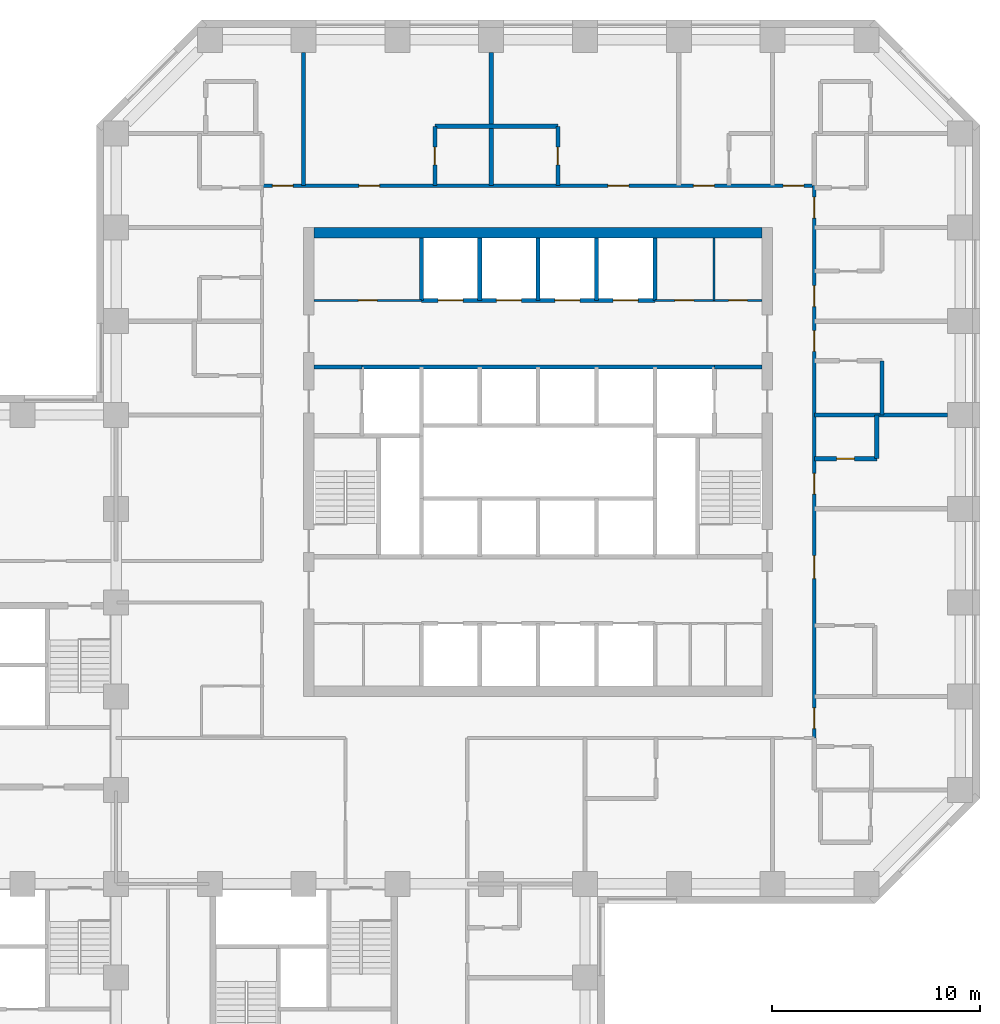
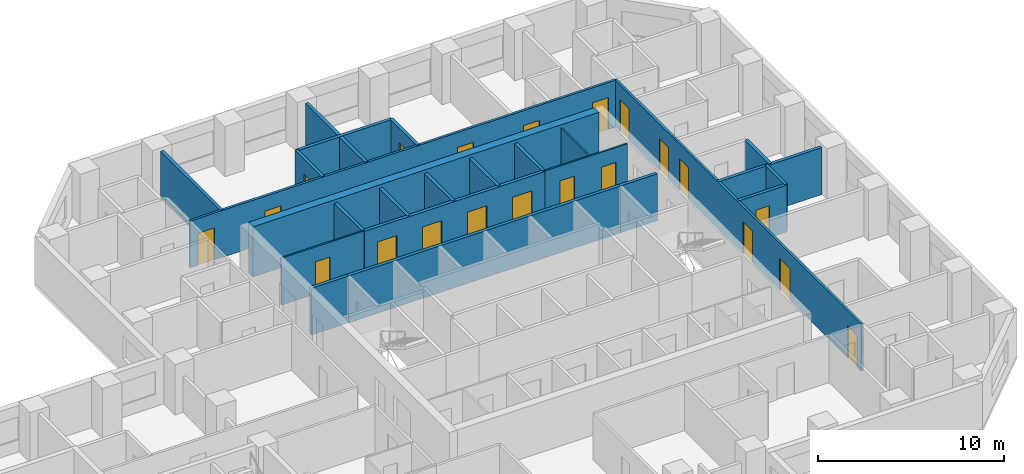
# One storey, part 9 of 12: 24 walls, 21 doors, 21 openings.
"""IFC4 building model written with IfcOpenShell, lengths in metres."""

from ifc_helpers import new_model, si_unit, direction, frame, frame_2d, origin, place, context, subcontext, project, spatial, rectangle, extrude, material, layer, layer_set, type_object, element, fill, save


model = new_model("IFC4")

# Units and contexts
model_context = context("Model", 3, precision=1e-05, world=origin(), true_north=direction((0.0, 1.0)))
body_context = subcontext(model_context, "Body", "Model", "MODEL_VIEW")
ifc_project = project(units=[si_unit("LENGTHUNIT", "METRE"), si_unit("AREAUNIT", "SQUARE_METRE"), si_unit("VOLUMEUNIT", "CUBIC_METRE"), si_unit("PLANEANGLEUNIT", "RADIAN"), si_unit("MASSUNIT", "GRAM", prefix="KILO")], contexts=[model_context])

# Site, building, storey
site_placement = place(None, origin())
site = spatial("IfcSite", under=ifc_project, at=site_placement, CompositionType="ELEMENT")
building_placement = place(site_placement, origin())
building = spatial("IfcBuilding", under=site, at=building_placement, Name="Quoin Convention Tower", CompositionType="ELEMENT")
storey_placement = place(building_placement, frame((0.0, 0.0, 29.699951171875)))
storey = spatial("IfcBuildingStorey", under=building, at=storey_placement, Name="L06", CompositionType="ELEMENT", Elevation=29.699951171875)

# Wall, opening, door
ifc_material_1 = material(Name="Plasterboard")
ifc_layer_1 = layer(ifc_material_1, 0.012451171875, Name="Finish")
ifc_material_2 = material(Name="Steel stud framing", Category="steel")
ifc_layer_2 = layer(ifc_material_2, 0.074951171875, Name="Structure")
ifc_layer_3 = layer(ifc_material_1, 0.012451171875, Name="Finish")
ifc_layer_set_1 = layer_set([ifc_layer_1, ifc_layer_2, ifc_layer_3], Name="Steel stud framing")
wall_type_1 = type_object("IfcWallType", Name="Core partition wall", PredefinedType="PARTITIONING", material=ifc_layer_set_1)
wall_1_placement = place(storey_placement, frame((45.5, 68.5, 0.0), z_axis=(0.0, 0.0, 1.0), x_axis=(1.0, 0.0, 0.0)))
wall_1 = element("IfcWall", 1, at=wall_1_placement, inside=storey, type_object=wall_type_1, Name="cr-C1-L06-h19000_500", PredefinedType="PARTITIONING", context=body_context, shape_type="SweptSolid", body=[
    extrude(rectangle(XDim=5.14990234375, YDim=0.10009765625, at=frame_2d((2.574951171875, 0.0))), origin(), (0.0, 0.0, 1.0), 3.080078125),
])
opening_1_placement = place(wall_1_placement, frame((2.125, 0.0, 0.0)))
opening_1 = element("IfcOpeningElement", 2, at=opening_1_placement, cuts=wall_1, Name="Opening DCV2-15", PredefinedType="OPENING", context=body_context, shape_type="SweptSolid", body=[
    extrude(rectangle(XDim=0.89990234375, YDim=2.10009765625, at=frame_2d((0.449951171875, 1.050048828125))), frame((0.0, 0.06005859375, 0.0), z_axis=(0.0, -1.0, 0.0), x_axis=(1.0, 0.0, 0.0)), (0.0, 0.0, 1.0), 0.1201171875),
])
ifc_material_3 = material(Name="Steel door leaf", Category="steel")
door_type_1 = type_object("IfcDoorType", Name="Core room door 900 x 2100", OperationType="SINGLE_SWING_LEFT", PredefinedType="DOOR", material=ifc_material_3)
door_1_placement = place(opening_1_placement, origin())
door_1 = element("IfcDoor", 3, at=door_1_placement, inside=storey, type_object=door_type_1, Name="cd-C1-L06-CNW0-lobB-CD0609", OperationType="SINGLE_SWING_RIGHT", OverallHeight=2.10009765625, OverallWidth=0.89990234375, PredefinedType="DOOR", context=body_context, shape_type="SweptSolid", body=[
    extrude(rectangle(XDim=0.89990234375, YDim=2.10009765625, at=frame_2d((0.449951171875, 1.050048828125))), frame((0.0, 0.02490234375, 0.0), z_axis=(0.0, -1.0, 0.0), x_axis=(1.0, 0.0, 0.0)), (0.0, 0.0, 1.0), 0.050048828125),
])
fill(opening_1, door_1)

# Wall, openings, doors
wall_2_placement = place(storey_placement, frame((61.85009765625, 68.5, 0.0), z_axis=(0.0, 0.0, 1.0), x_axis=(1.0, 0.0, 0.0)))
wall_2 = element("IfcWall", 4, at=wall_2_placement, inside=storey, type_object=wall_type_1, Name="cr-C1-L06-h19000_16850", PredefinedType="PARTITIONING", context=body_context, shape_type="SweptSolid", body=[
    extrude(rectangle(XDim=5.14990234375, YDim=0.10009765625, at=frame_2d((2.574951171875, 0.0))), origin(), (0.0, 0.0, 1.0), 3.080078125),
])
opening_2_placement = place(wall_2_placement, frame((3.541259765625, 0.0, 0.0)))
opening_2 = element("IfcOpeningElement", 5, at=opening_2_placement, cuts=wall_2, Name="Opening DCV2-03", PredefinedType="OPENING", context=body_context, shape_type="SweptSolid", body=[
    extrude(rectangle(XDim=0.89990234375, YDim=2.10009765625, at=frame_2d((0.449951171875, 1.050048828125))), frame((0.0, 0.06005859375, 0.0), z_axis=(0.0, -1.0, 0.0), x_axis=(1.0, 0.0, 0.0)), (0.0, 0.0, 1.0), 0.1201171875),
])
opening_3_placement = place(wall_2_placement, frame((0.96630859375, 0.0, 0.0)))
opening_3 = element("IfcOpeningElement", 6, at=opening_3_placement, cuts=wall_2, Name="Opening DCV2-01", PredefinedType="OPENING", context=body_context, shape_type="SweptSolid", body=[
    extrude(rectangle(XDim=0.89990234375, YDim=2.10009765625, at=frame_2d((0.449951171875, 1.050048828125))), frame((0.0, 0.06005859375, 0.0), z_axis=(0.0, -1.0, 0.0), x_axis=(1.0, 0.0, 0.0)), (0.0, 0.0, 1.0), 0.1201171875),
])
door_2_placement = place(opening_2_placement, origin())
door_2 = element("IfcDoor", 7, at=door_2_placement, inside=storey, type_object=door_type_1, Name="cd-C1-L06-CNE0-lobB-CD0607", OperationType="SINGLE_SWING_RIGHT", OverallHeight=2.10009765625, OverallWidth=0.89990234375, PredefinedType="DOOR", context=body_context, shape_type="SweptSolid", body=[
    extrude(rectangle(XDim=0.89990234375, YDim=2.10009765625, at=frame_2d((0.449951171875, 1.050048828125))), frame((0.0, 0.02490234375, 0.0), z_axis=(0.0, -1.0, 0.0), x_axis=(1.0, 0.0, 0.0)), (0.0, 0.0, 1.0), 0.050048828125),
])
fill(opening_2, door_2)
door_3_placement = place(opening_3_placement, origin())
door_3 = element("IfcDoor", 8, at=door_3_placement, inside=storey, type_object=door_type_1, Name="cd-C1-L06-CNE1-lobB-CD0608", OperationType="SINGLE_SWING_LEFT", OverallHeight=2.10009765625, OverallWidth=0.89990234375, PredefinedType="DOOR", context=body_context, shape_type="SweptSolid", body=[
    extrude(rectangle(XDim=0.89990234375, YDim=2.10009765625, at=frame_2d((0.449951171875, 1.050048828125))), frame((0.0, 0.02490234375, 0.0), z_axis=(0.0, -1.0, 0.0), x_axis=(1.0, 0.0, 0.0)), (0.0, 0.0, 1.0), 0.050048828125),
])
fill(opening_3, door_3)

# Walls
wall_3_placement = place(storey_placement, frame((64.6826171875, 68.5, 0.0), z_axis=(0.0, 0.0, 1.0), x_axis=(0.0, 1.0, 0.0)))
element("IfcWall", 9, at=wall_3_placement, inside=storey, type_object=wall_type_1, Name="cr-C1-L06-v19682_19000", PredefinedType="PARTITIONING", context=body_context, shape_type="SweptSolid", body=[
    extrude(rectangle(XDim=3.0, YDim=0.10009765625, at=frame_2d((1.5, 0.0))), origin(), (0.0, 0.0, 1.0), 3.080078125),
])
ifc_material_4 = material(Name="Concrete C50", Category="concrete")
ifc_layer_4 = layer(ifc_material_4, 0.199951171875)
ifc_layer_set_2 = layer_set([ifc_layer_4], Name="Concrete C50")
wall_type_2 = type_object("IfcWallType", Name="Core shaft wall", PredefinedType="SOLIDWALL", material=ifc_layer_set_2)
for number, where, z_axis, x_axis, name in (
    (10, (45.5, 65.300048828125, 0.0), (0.0, 0.0, 1.0), (1.0, 0.0, 0.0), "cr-C1-L06-h15800_500"),
    (11, (64.699951171875, 65.300048828125, 0.0), (0.0, 0.0, 1.0), (1.0, 0.0, 0.0), "cr-C1-L06-h15800_19700"),
):
    element("IfcWall", number, at=place(storey_placement, frame(where, z_axis=z_axis, x_axis=x_axis)), inside=storey, type_object=wall_type_2, Name=name, PredefinedType="SOLIDWALL", context=body_context, shape_type="SweptSolid", body=[
        extrude(rectangle(XDim=2.300048828125, YDim=0.199951171875, at=frame_2d((1.14990234375, 0.0))), origin(), (0.0, 0.0, 1.0), 3.080078125),
    ])
wall_4_placement = place(storey_placement, frame((47.800048828125, 65.300048828125, 0.0), z_axis=(0.0, 0.0, 1.0), x_axis=(1.0, 0.0, 0.0)))
element("IfcWall", 12, at=wall_4_placement, inside=storey, type_object=wall_type_2, Name="cr-C1-L06-h15800_2800", PredefinedType="SOLIDWALL", context=body_context, shape_type="SweptSolid", body=[
    extrude(rectangle(XDim=16.89990234375, YDim=0.199951171875, at=frame_2d((8.449951171875, 0.0))), origin(), (0.0, 0.0, 1.0), 3.080078125),
])

# Wall, openings, doors
wall_5_placement = place(storey_placement, frame((50.64990234375, 68.5, 0.0), z_axis=(0.0, 0.0, 1.0), x_axis=(1.0, 0.0, 0.0)))
wall_5 = element("IfcWall", 13, at=wall_5_placement, inside=storey, type_object=wall_type_2, Name="cr-C1-L06-h19000_5650", PredefinedType="SOLIDWALL", context=body_context, shape_type="SweptSolid", body=[
    extrude(rectangle(XDim=11.2001953125, YDim=0.199951171875, at=frame_2d((5.60009765625, 0.0))), origin(), (0.0, 0.0, 1.0), 3.080078125),
])
opening_4_placement = place(wall_5_placement, frame((0.800048828125, 0.0, 0.0)))
opening_4 = element("IfcOpeningElement", 14, at=opening_4_placement, cuts=wall_5, Name="Opening LDL5", PredefinedType="OPENING", context=body_context, shape_type="SweptSolid", body=[
    extrude(rectangle(XDim=1.199951171875, YDim=2.10009765625, at=frame_2d((0.60009765625, 1.050048828125))), frame((0.0, 0.10986328125, 0.0), z_axis=(0.0, -1.0, 0.0), x_axis=(1.0, 0.0, 0.0)), (0.0, 0.0, 1.0), 0.219970703125),
])
opening_5_placement = place(wall_5_placement, frame((3.60009765625, 0.0, 0.0)))
opening_5 = element("IfcOpeningElement", 15, at=opening_5_placement, cuts=wall_5, Name="Opening LDL6", PredefinedType="OPENING", context=body_context, shape_type="SweptSolid", body=[
    extrude(rectangle(XDim=1.199951171875, YDim=2.10009765625, at=frame_2d((0.60009765625, 1.050048828125))), frame((0.0, 0.10986328125, 0.0), z_axis=(0.0, -1.0, 0.0), x_axis=(1.0, 0.0, 0.0)), (0.0, 0.0, 1.0), 0.219970703125),
])
opening_6_placement = place(wall_5_placement, frame((6.39990234375, 0.0, 0.0)))
opening_6 = element("IfcOpeningElement", 16, at=opening_6_placement, cuts=wall_5, Name="Opening LDL7", PredefinedType="OPENING", context=body_context, shape_type="SweptSolid", body=[
    extrude(rectangle(XDim=1.199951171875, YDim=2.10009765625, at=frame_2d((0.60009765625, 1.050048828125))), frame((0.0, 0.10986328125, 0.0), z_axis=(0.0, -1.0, 0.0), x_axis=(1.0, 0.0, 0.0)), (0.0, 0.0, 1.0), 0.219970703125),
])
opening_7_placement = place(wall_5_placement, frame((9.199951171875, 0.0, 0.0)))
opening_7 = element("IfcOpeningElement", 17, at=opening_7_placement, cuts=wall_5, Name="Opening LDL8", PredefinedType="OPENING", context=body_context, shape_type="SweptSolid", body=[
    extrude(rectangle(XDim=1.199951171875, YDim=2.10009765625, at=frame_2d((0.60009765625, 1.050048828125))), frame((0.0, 0.10986328125, 0.0), z_axis=(0.0, -1.0, 0.0), x_axis=(1.0, 0.0, 0.0)), (0.0, 0.0, 1.0), 0.219970703125),
])
door_type_2 = type_object("IfcDoorType", Name="Lift landing door 1200 x 2100", OperationType="DOUBLE_DOOR_SLIDING", PredefinedType="DOOR", material=ifc_material_3)
door_4_placement = place(opening_4_placement, origin())
door_4 = element("IfcDoor", 18, at=door_4_placement, inside=storey, type_object=door_type_2, Name="cd-C1-L06-R40-lobB-LDL5", OperationType="DOUBLE_DOOR_SLIDING", OverallHeight=2.10009765625, OverallWidth=1.199951171875, PredefinedType="DOOR", context=body_context, shape_type="SweptSolid", body=[
    extrude(rectangle(XDim=1.199951171875, YDim=2.10009765625, at=frame_2d((0.60009765625, 1.050048828125))), frame((0.0, 0.02490234375, 0.0), z_axis=(0.0, -1.0, 0.0), x_axis=(1.0, 0.0, 0.0)), (0.0, 0.0, 1.0), 0.050048828125),
])
fill(opening_4, door_4)
door_5_placement = place(opening_5_placement, origin())
door_5 = element("IfcDoor", 19, at=door_5_placement, inside=storey, type_object=door_type_2, Name="cd-C1-L06-R41-lobB-LDL6", OperationType="DOUBLE_DOOR_SLIDING", OverallHeight=2.10009765625, OverallWidth=1.199951171875, PredefinedType="DOOR", context=body_context, shape_type="SweptSolid", body=[
    extrude(rectangle(XDim=1.199951171875, YDim=2.10009765625, at=frame_2d((0.60009765625, 1.050048828125))), frame((0.0, 0.02490234375, 0.0), z_axis=(0.0, -1.0, 0.0), x_axis=(1.0, 0.0, 0.0)), (0.0, 0.0, 1.0), 0.050048828125),
])
fill(opening_5, door_5)
door_6_placement = place(opening_6_placement, origin())
door_6 = element("IfcDoor", 20, at=door_6_placement, inside=storey, type_object=door_type_2, Name="cd-C1-L06-R42-lobB-LDL7", OperationType="DOUBLE_DOOR_SLIDING", OverallHeight=2.10009765625, OverallWidth=1.199951171875, PredefinedType="DOOR", context=body_context, shape_type="SweptSolid", body=[
    extrude(rectangle(XDim=1.199951171875, YDim=2.10009765625, at=frame_2d((0.60009765625, 1.050048828125))), frame((0.0, 0.02490234375, 0.0), z_axis=(0.0, -1.0, 0.0), x_axis=(1.0, 0.0, 0.0)), (0.0, 0.0, 1.0), 0.050048828125),
])
fill(opening_6, door_6)
door_7_placement = place(opening_7_placement, origin())
door_7 = element("IfcDoor", 21, at=door_7_placement, inside=storey, type_object=door_type_2, Name="cd-C1-L06-R43-lobB-LDL8", OperationType="DOUBLE_DOOR_SLIDING", OverallHeight=2.10009765625, OverallWidth=1.199951171875, PredefinedType="DOOR", context=body_context, shape_type="SweptSolid", body=[
    extrude(rectangle(XDim=1.199951171875, YDim=2.10009765625, at=frame_2d((0.60009765625, 1.050048828125))), frame((0.0, 0.02490234375, 0.0), z_axis=(0.0, -1.0, 0.0), x_axis=(1.0, 0.0, 0.0)), (0.0, 0.0, 1.0), 0.050048828125),
])
fill(opening_7, door_7)

# Walls
for number, where, z_axis, x_axis, name in (
    (22, (50.64990234375, 68.5, 0.0), (0.0, 0.0, 1.0), (0.0, 1.0, 0.0), "cr-C1-L06-v5650_19000"),
    (23, (53.449951171875, 68.5, 0.0), (0.0, 0.0, 1.0), (0.0, 1.0, 0.0), "cr-C1-L06-v8450_19000"),
    (24, (56.25, 68.5, 0.0), (0.0, 0.0, 1.0), (0.0, 1.0, 0.0), "cr-C1-L06-v11250_19000"),
    (25, (59.050048828125, 68.5, 0.0), (0.0, 0.0, 1.0), (0.0, 1.0, 0.0), "cr-C1-L06-v14050_19000"),
    (26, (61.85009765625, 68.5, 0.0), (0.0, 0.0, 1.0), (0.0, 1.0, 0.0), "cr-C1-L06-v16850_19000"),
):
    element("IfcWall", number, at=place(storey_placement, frame(where, z_axis=z_axis, x_axis=x_axis)), inside=storey, type_object=wall_type_2, Name=name, PredefinedType="SOLIDWALL", context=body_context, shape_type="SweptSolid", body=[
        extrude(rectangle(XDim=3.0, YDim=0.199951171875, at=frame_2d((1.5, 0.0))), origin(), (0.0, 0.0, 1.0), 3.080078125),
    ])
ifc_material_5 = material(Name="Concrete C80", Category="concrete")
ifc_layer_5 = layer(ifc_material_5, 0.5)
ifc_layer_set_3 = layer_set([ifc_layer_5], Name="Concrete C80")
wall_type_3 = type_object("IfcWallType", Name="RC CORE WALL 500 C80", PredefinedType="SHEAR", material=ifc_layer_set_3)
wall_6_placement = place(storey_placement, frame((45.5, 71.75, 0.0), z_axis=(0.0, 0.0, 1.0), x_axis=(1.0, 0.0, 0.0)))
element("IfcWall", 27, at=wall_6_placement, inside=storey, type_object=wall_type_3, Name="cwl-C1-L06-N", PredefinedType="SHEAR", context=body_context, shape_type="SweptSolid", body=[
    extrude(rectangle(XDim=21.5, YDim=0.5, at=frame_2d((10.75, 0.0))), origin(), (0.0, 0.0, 1.0), 3.300048828125),
])

# Wall, opening, door
ifc_layer_6 = layer(ifc_material_4, 0.199951171875)
ifc_layer_set_4 = layer_set([ifc_layer_6], Name="Concrete C50")
wall_type_4 = type_object("IfcWallType", Name="RC party wall", PredefinedType="SOLIDWALL", material=ifc_layer_set_4)
wall_7_placement = place(storey_placement, frame((69.5, 60.89990234375, 0.0), z_axis=(0.0, 0.0, 1.0), x_axis=(1.0, 0.0, 0.0)))
wall_7 = element("IfcWall", 28, at=wall_7_placement, inside=storey, type_object=wall_type_4, Name="pw-L06-105", PredefinedType="SOLIDWALL", context=body_context, shape_type="SweptSolid", body=[
    extrude(rectangle(XDim=3.0, YDim=0.199951171875, at=frame_2d((1.5, 0.0))), origin(), (0.0, 0.0, 1.0), 3.080078125),
])
opening_8_placement = place(wall_7_placement, frame((1.074951171875, 0.0, 0.0)))
opening_8 = element("IfcOpeningElement", 29, at=opening_8_placement, cuts=wall_7, Name="Opening DHOTEL-B-61", PredefinedType="OPENING", context=body_context, shape_type="SweptSolid", body=[
    extrude(rectangle(XDim=0.85009765625, YDim=2.10009765625, at=frame_2d((0.425048828125, 1.050048828125))), frame((0.0, 0.10986328125, 0.0), z_axis=(0.0, -1.0, 0.0), x_axis=(1.0, 0.0, 0.0)), (0.0, 0.0, 1.0), 0.219970703125),
])
door_type_3 = type_object("IfcDoorType", Name="Bathroom door", OperationType="SINGLE_SWING_LEFT", PredefinedType="DOOR", material=ifc_material_3)
door_8_placement = place(opening_8_placement, frame((0.85009765625, 0.0, 0.0), z_axis=(0.0, 0.0, 1.0), x_axis=(-1.0, 0.0, 0.0)))
door_8 = element("IfcDoor", 30, at=door_8_placement, inside=storey, type_object=door_type_3, Name="dr-L06-050", OperationType="SINGLE_SWING_RIGHT", OverallHeight=2.10009765625, OverallWidth=0.85009765625, PredefinedType="DOOR", context=body_context, shape_type="SweptSolid", body=[
    extrude(rectangle(XDim=0.85009765625, YDim=2.10009765625, at=frame_2d((0.425048828125, 1.050048828125))), frame((0.0, 0.02490234375, 0.0), z_axis=(0.0, -1.0, 0.0), x_axis=(1.0, 0.0, 0.0)), (0.0, 0.0, 1.0), 0.050048828125),
])
fill(opening_8, door_8)

# Walls
wall_8_placement = place(storey_placement, frame((72.5, 60.89990234375, 0.0), z_axis=(0.0, 0.0, 1.0), x_axis=(0.0, 1.0, 0.0)))
element("IfcWall", 31, at=wall_8_placement, inside=storey, type_object=wall_type_4, Name="pw-L06-106", PredefinedType="SOLIDWALL", context=body_context, shape_type="SweptSolid", body=[
    extrude(rectangle(XDim=2.10009765625, YDim=0.199951171875, at=frame_2d((1.050048828125, 0.0))), origin(), (0.0, 0.0, 1.0), 3.080078125),
])
wall_9_placement = place(storey_placement, frame((69.5, 63.0, 0.0), z_axis=(0.0, 0.0, 1.0), x_axis=(1.0, 0.0, 0.0)))
element("IfcWall", 32, at=wall_9_placement, inside=storey, type_object=wall_type_4, Name="pw-L06-108", PredefinedType="SOLIDWALL", context=body_context, shape_type="SweptSolid", body=[
    extrude(rectangle(XDim=6.39990234375, YDim=0.199951171875, at=frame_2d((3.199951171875, 0.0))), origin(), (0.0, 0.0, 1.0), 3.080078125),
])
wall_10_placement = place(storey_placement, frame((72.75, 63.0, 0.0), z_axis=(0.0, 0.0, 1.0), x_axis=(0.0, 1.0, 0.0)))
element("IfcWall", 33, at=wall_10_placement, inside=storey, type_object=wall_type_4, Name="pw-L06-109", PredefinedType="SOLIDWALL", context=body_context, shape_type="SweptSolid", body=[
    extrude(rectangle(XDim=2.60009765625, YDim=0.199951171875, at=frame_2d((1.300048828125, 0.0))), origin(), (0.0, 0.0, 1.0), 3.080078125),
])
wall_11_placement = place(storey_placement, frame((45.0, 74.0, 0.0), z_axis=(0.0, 0.0, 1.0), x_axis=(0.0, 1.0, 0.0)))
element("IfcWall", 34, at=wall_11_placement, inside=storey, type_object=wall_type_4, Name="pw-L06-126", PredefinedType="SOLIDWALL", context=body_context, shape_type="SweptSolid", body=[
    extrude(rectangle(XDim=6.39990234375, YDim=0.199951171875, at=frame_2d((3.199951171875, 0.0))), origin(), (0.0, 0.0, 1.0), 3.080078125),
])

# Wall, opening, door
wall_12_placement = place(storey_placement, frame((51.300048828125, 74.0, 0.0), z_axis=(0.0, 0.0, 1.0), x_axis=(0.0, 1.0, 0.0)))
wall_12 = element("IfcWall", 35, at=wall_12_placement, inside=storey, type_object=wall_type_4, Name="pw-L06-127", PredefinedType="SOLIDWALL", context=body_context, shape_type="SweptSolid", body=[
    extrude(rectangle(XDim=2.85009765625, YDim=0.199951171875, at=frame_2d((1.425048828125, 0.0))), origin(), (0.0, 0.0, 1.0), 3.080078125),
])
opening_9_placement = place(wall_12_placement, frame((1.0, 0.0, 0.0)))
opening_9 = element("IfcOpeningElement", 36, at=opening_9_placement, cuts=wall_12, Name="Opening DHOTEL-B-68", PredefinedType="OPENING", context=body_context, shape_type="SweptSolid", body=[
    extrude(rectangle(XDim=0.85009765625, YDim=2.10009765625, at=frame_2d((0.425048828125, 1.050048828125))), frame((0.0, 0.10986328125, 0.0), z_axis=(0.0, -1.0, 0.0), x_axis=(1.0, 0.0, 0.0)), (0.0, 0.0, 1.0), 0.219970703125),
])
door_9_placement = place(opening_9_placement, origin())
door_9 = element("IfcDoor", 37, at=door_9_placement, inside=storey, type_object=door_type_3, Name="dr-L06-038", OperationType="SINGLE_SWING_LEFT", OverallHeight=2.10009765625, OverallWidth=0.85009765625, PredefinedType="DOOR", context=body_context, shape_type="SweptSolid", body=[
    extrude(rectangle(XDim=0.85009765625, YDim=2.10009765625, at=frame_2d((0.425048828125, 1.050048828125))), frame((0.0, 0.02490234375, 0.0), z_axis=(0.0, -1.0, 0.0), x_axis=(1.0, 0.0, 0.0)), (0.0, 0.0, 1.0), 0.050048828125),
])
fill(opening_9, door_9)

# Wall
wall_13_placement = place(storey_placement, frame((54.0, 74.0, 0.0), z_axis=(0.0, 0.0, 1.0), x_axis=(0.0, 1.0, 0.0)))
element("IfcWall", 38, at=wall_13_placement, inside=storey, type_object=wall_type_4, Name="pw-L06-128", PredefinedType="SOLIDWALL", context=body_context, shape_type="SweptSolid", body=[
    extrude(rectangle(XDim=6.39990234375, YDim=0.199951171875, at=frame_2d((3.199951171875, 0.0))), origin(), (0.0, 0.0, 1.0), 3.080078125),
])

# Wall, opening, door
wall_14_placement = place(storey_placement, frame((57.199951171875, 74.0, 0.0), z_axis=(0.0, 0.0, 1.0), x_axis=(0.0, 1.0, 0.0)))
wall_14 = element("IfcWall", 39, at=wall_14_placement, inside=storey, type_object=wall_type_4, Name="pw-L06-129", PredefinedType="SOLIDWALL", context=body_context, shape_type="SweptSolid", body=[
    extrude(rectangle(XDim=2.85009765625, YDim=0.199951171875, at=frame_2d((1.425048828125, 0.0))), origin(), (0.0, 0.0, 1.0), 3.080078125),
])
opening_10_placement = place(wall_14_placement, frame((1.0, 0.0, 0.0)))
opening_10 = element("IfcOpeningElement", 40, at=opening_10_placement, cuts=wall_14, Name="Opening DHOTEL-B-69", PredefinedType="OPENING", context=body_context, shape_type="SweptSolid", body=[
    extrude(rectangle(XDim=0.85009765625, YDim=2.10009765625, at=frame_2d((0.425048828125, 1.050048828125))), frame((0.0, 0.10986328125, 0.0), z_axis=(0.0, -1.0, 0.0), x_axis=(1.0, 0.0, 0.0)), (0.0, 0.0, 1.0), 0.219970703125),
])
door_10_placement = place(opening_10_placement, frame((0.85009765625, 0.0, 0.0), z_axis=(0.0, 0.0, 1.0), x_axis=(-1.0, 0.0, 0.0)))
door_10 = element("IfcDoor", 41, at=door_10_placement, inside=storey, type_object=door_type_3, Name="dr-L06-040", OperationType="SINGLE_SWING_RIGHT", OverallHeight=2.10009765625, OverallWidth=0.85009765625, PredefinedType="DOOR", context=body_context, shape_type="SweptSolid", body=[
    extrude(rectangle(XDim=0.85009765625, YDim=2.10009765625, at=frame_2d((0.425048828125, 1.050048828125))), frame((0.0, 0.02490234375, 0.0), z_axis=(0.0, -1.0, 0.0), x_axis=(1.0, 0.0, 0.0)), (0.0, 0.0, 1.0), 0.050048828125),
])
fill(opening_10, door_10)

# Wall
wall_15_placement = place(storey_placement, frame((51.300048828125, 76.85009765625, 0.0), z_axis=(0.0, 0.0, 1.0), x_axis=(1.0, 0.0, 0.0)))
element("IfcWall", 42, at=wall_15_placement, inside=storey, type_object=wall_type_4, Name="pw-L06-141", PredefinedType="SOLIDWALL", context=body_context, shape_type="SweptSolid", body=[
    extrude(rectangle(XDim=5.89990234375, YDim=0.199951171875, at=frame_2d((2.949951171875, 0.0))), origin(), (0.0, 0.0, 1.0), 3.080078125),
])

# Wall, openings, doors
ifc_layer_7 = layer(ifc_material_1, 0.012451171875, Name="Finish")
ifc_layer_8 = layer(ifc_material_2, 0.125, Name="Structure")
ifc_layer_9 = layer(ifc_material_1, 0.012451171875, Name="Finish")
ifc_layer_set_5 = layer_set([ifc_layer_7, ifc_layer_8, ifc_layer_9], Name="Steel stud framing")
wall_type_5 = type_object("IfcWallType", Name="corridor partition", PredefinedType="PARTITIONING", material=ifc_layer_set_5)
wall_16_placement = place(storey_placement, frame((69.5, 47.5, 0.0), z_axis=(0.0, 0.0, 1.0), x_axis=(0.0, 1.0, 0.0)))
wall_16 = element("IfcWall", 43, at=wall_16_placement, inside=storey, type_object=wall_type_5, Name="pw-L06-031", PredefinedType="PARTITIONING", context=body_context, shape_type="SweptSolid", body=[
    extrude(rectangle(XDim=26.5, YDim=0.14990234375, at=frame_2d((13.25, 0.0))), origin(), (0.0, 0.0, 1.0), 3.080078125),
])
opening_11_placement = place(wall_16_placement, frame((24.949951171875, 0.0, 0.0)))
opening_11 = element("IfcOpeningElement", 44, at=opening_11_placement, cuts=wall_16, Name="Opening DHOTEL-B-31", PredefinedType="OPENING", context=body_context, shape_type="SweptSolid", body=[
    extrude(rectangle(XDim=1.0, YDim=2.10009765625, at=frame_2d((0.5, 1.050048828125))), frame((0.0, 0.0849609375, 0.0), z_axis=(0.0, -1.0, 0.0), x_axis=(1.0, 0.0, 0.0)), (0.0, 0.0, 1.0), 0.169921875),
])
opening_12_placement = place(wall_16_placement, frame((20.699951171875, 0.0, 0.0)))
opening_12 = element("IfcOpeningElement", 45, at=opening_12_placement, cuts=wall_16, Name="Opening DHOTEL-B-30", PredefinedType="OPENING", context=body_context, shape_type="SweptSolid", body=[
    extrude(rectangle(XDim=1.0, YDim=2.10009765625, at=frame_2d((0.5, 1.050048828125))), frame((0.0, 0.0849609375, 0.0), z_axis=(0.0, -1.0, 0.0), x_axis=(1.0, 0.0, 0.0)), (0.0, 0.0, 1.0), 0.169921875),
])
opening_13_placement = place(wall_16_placement, frame((18.550048828125, 0.0, 0.0)))
opening_13 = element("IfcOpeningElement", 46, at=opening_13_placement, cuts=wall_16, Name="Opening DHOTEL-B-29", PredefinedType="OPENING", context=body_context, shape_type="SweptSolid", body=[
    extrude(rectangle(XDim=1.0, YDim=2.10009765625, at=frame_2d((0.5, 1.050048828125))), frame((0.0, 0.0849609375, 0.0), z_axis=(0.0, -1.0, 0.0), x_axis=(1.0, 0.0, 0.0)), (0.0, 0.0, 1.0), 0.169921875),
])
opening_14_placement = place(wall_16_placement, frame((11.699951171875, 0.0, 0.0)))
opening_14 = element("IfcOpeningElement", 47, at=opening_14_placement, cuts=wall_16, Name="Opening DHOTEL-B-28", PredefinedType="OPENING", context=body_context, shape_type="SweptSolid", body=[
    extrude(rectangle(XDim=1.0, YDim=2.10009765625, at=frame_2d((0.5, 1.050048828125))), frame((0.0, 0.0849609375, 0.0), z_axis=(0.0, -1.0, 0.0), x_axis=(1.0, 0.0, 0.0)), (0.0, 0.0, 1.0), 0.169921875),
])
opening_15_placement = place(wall_16_placement, frame((7.64990234375, 0.0, 0.0)))
opening_15 = element("IfcOpeningElement", 48, at=opening_15_placement, cuts=wall_16, Name="Opening DHOTEL-B-27", PredefinedType="OPENING", context=body_context, shape_type="SweptSolid", body=[
    extrude(rectangle(XDim=1.10009765625, YDim=2.10009765625, at=frame_2d((0.550048828125, 1.050048828125))), frame((0.0, 0.0849609375, 0.0), z_axis=(0.0, -1.0, 0.0), x_axis=(1.0, 0.0, 0.0)), (0.0, 0.0, 1.0), 0.169921875),
])
opening_16_placement = place(wall_16_placement, frame((0.447021484375, 0.0, 0.0)))
opening_16 = element("IfcOpeningElement", 49, at=opening_16_placement, cuts=wall_16, Name="Opening DHOTEL-B-26", PredefinedType="OPENING", context=body_context, shape_type="SweptSolid", body=[
    extrude(rectangle(XDim=1.0, YDim=2.10009765625, at=frame_2d((0.5, 1.050048828125))), frame((0.0, 0.0849609375, 0.0), z_axis=(0.0, -1.0, 0.0), x_axis=(1.0, 0.0, 0.0)), (0.0, 0.0, 1.0), 0.169921875),
])
door_type_4 = type_object("IfcDoorType", Name="Accessible room door", OperationType="SINGLE_SWING_LEFT", PredefinedType="DOOR", material=ifc_material_3)
door_11_placement = place(opening_15_placement, frame((1.10009765625, 0.0, 0.0), z_axis=(0.0, 0.0, 1.0), x_axis=(-1.0, 0.0, 0.0)))
door_11 = element("IfcDoor", 50, at=door_11_placement, inside=storey, type_object=door_type_4, Name="dr-L06-051", OperationType="SINGLE_SWING_LEFT", OverallHeight=2.10009765625, OverallWidth=1.10009765625, PredefinedType="DOOR", context=body_context, shape_type="SweptSolid", body=[
    extrude(rectangle(XDim=1.10009765625, YDim=2.10009765625, at=frame_2d((0.550048828125, 1.050048828125))), frame((0.0, 0.02490234375, 0.0), z_axis=(0.0, -1.0, 0.0), x_axis=(1.0, 0.0, 0.0)), (0.0, 0.0, 1.0), 0.050048828125),
])
fill(opening_15, door_11)
door_type_5 = type_object("IfcDoorType", Name="Hotel room door", OperationType="SINGLE_SWING_LEFT", PredefinedType="DOOR", material=ifc_material_3)
door_12_placement = place(opening_11_placement, frame((1.0, 0.0, 0.0), z_axis=(0.0, 0.0, 1.0), x_axis=(-1.0, 0.0, 0.0)))
door_12 = element("IfcDoor", 51, at=door_12_placement, inside=storey, type_object=door_type_5, Name="dr-L06-043", OperationType="SINGLE_SWING_LEFT", OverallHeight=2.10009765625, OverallWidth=1.0, PredefinedType="DOOR", context=body_context, shape_type="SweptSolid", body=[
    extrude(rectangle(XDim=1.0, YDim=2.10009765625, at=frame_2d((0.5, 1.050048828125))), frame((0.0, 0.02490234375, 0.0), z_axis=(0.0, -1.0, 0.0), x_axis=(1.0, 0.0, 0.0)), (0.0, 0.0, 1.0), 0.050048828125),
])
fill(opening_11, door_12)
door_13_placement = place(opening_12_placement, frame((1.0, 0.0, 0.0), z_axis=(0.0, 0.0, 1.0), x_axis=(-1.0, 0.0, 0.0)))
door_13 = element("IfcDoor", 52, at=door_13_placement, inside=storey, type_object=door_type_5, Name="dr-L06-045", OperationType="SINGLE_SWING_LEFT", OverallHeight=2.10009765625, OverallWidth=1.0, PredefinedType="DOOR", context=body_context, shape_type="SweptSolid", body=[
    extrude(rectangle(XDim=1.0, YDim=2.10009765625, at=frame_2d((0.5, 1.050048828125))), frame((0.0, 0.02490234375, 0.0), z_axis=(0.0, -1.0, 0.0), x_axis=(1.0, 0.0, 0.0)), (0.0, 0.0, 1.0), 0.050048828125),
])
fill(opening_12, door_13)
door_14_placement = place(opening_13_placement, frame((1.0, 0.0, 0.0), z_axis=(0.0, 0.0, 1.0), x_axis=(-1.0, 0.0, 0.0)))
door_14 = element("IfcDoor", 53, at=door_14_placement, inside=storey, type_object=door_type_5, Name="dr-L06-047", OperationType="SINGLE_SWING_LEFT", OverallHeight=2.10009765625, OverallWidth=1.0, PredefinedType="DOOR", context=body_context, shape_type="SweptSolid", body=[
    extrude(rectangle(XDim=1.0, YDim=2.10009765625, at=frame_2d((0.5, 1.050048828125))), frame((0.0, 0.02490234375, 0.0), z_axis=(0.0, -1.0, 0.0), x_axis=(1.0, 0.0, 0.0)), (0.0, 0.0, 1.0), 0.050048828125),
])
fill(opening_13, door_14)
door_15_placement = place(opening_14_placement, frame((1.0, 0.0, 0.0), z_axis=(0.0, 0.0, 1.0), x_axis=(-1.0, 0.0, 0.0)))
door_15 = element("IfcDoor", 54, at=door_15_placement, inside=storey, type_object=door_type_5, Name="dr-L06-049", OperationType="SINGLE_SWING_LEFT", OverallHeight=2.10009765625, OverallWidth=1.0, PredefinedType="DOOR", context=body_context, shape_type="SweptSolid", body=[
    extrude(rectangle(XDim=1.0, YDim=2.10009765625, at=frame_2d((0.5, 1.050048828125))), frame((0.0, 0.02490234375, 0.0), z_axis=(0.0, -1.0, 0.0), x_axis=(1.0, 0.0, 0.0)), (0.0, 0.0, 1.0), 0.050048828125),
])
fill(opening_14, door_15)
door_16_placement = place(opening_16_placement, frame((1.0, 0.0, 0.0), z_axis=(0.0, 0.0, 1.0), x_axis=(-1.0, 0.0, 0.0)))
door_16 = element("IfcDoor", 55, at=door_16_placement, inside=storey, type_object=door_type_5, Name="dr-L06-053", OperationType="SINGLE_SWING_LEFT", OverallHeight=2.10009765625, OverallWidth=1.0, PredefinedType="DOOR", context=body_context, shape_type="SweptSolid", body=[
    extrude(rectangle(XDim=1.0, YDim=2.10009765625, at=frame_2d((0.5, 1.050048828125))), frame((0.0, 0.02490234375, 0.0), z_axis=(0.0, -1.0, 0.0), x_axis=(1.0, 0.0, 0.0)), (0.0, 0.0, 1.0), 0.050048828125),
])
fill(opening_16, door_16)

wall_17_placement = place(storey_placement, frame((43.0, 74.0, 0.0), z_axis=(0.0, 0.0, 1.0), x_axis=(1.0, 0.0, 0.0)))
wall_17 = element("IfcWall", 56, at=wall_17_placement, inside=storey, type_object=wall_type_5, Name="pw-L06-036", PredefinedType="PARTITIONING", context=body_context, shape_type="SweptSolid", body=[
    extrude(rectangle(XDim=26.5, YDim=0.14990234375, at=frame_2d((13.25, 0.0))), origin(), (0.0, 0.0, 1.0), 3.080078125),
])
opening_17_placement = place(wall_17_placement, frame((4.64990234375, 0.0, 0.0)))
opening_17 = element("IfcOpeningElement", 57, at=opening_17_placement, cuts=wall_17, Name="Opening DHOTEL-B-38", PredefinedType="OPENING", context=body_context, shape_type="SweptSolid", body=[
    extrude(rectangle(XDim=1.0, YDim=2.10009765625, at=frame_2d((0.5, 1.050048828125))), frame((0.0, 0.0849609375, 0.0), z_axis=(0.0, -1.0, 0.0), x_axis=(1.0, 0.0, 0.0)), (0.0, 0.0, 1.0), 0.169921875),
])
opening_18_placement = place(wall_17_placement, frame((16.60009765625, 0.0, 0.0)))
opening_18 = element("IfcOpeningElement", 58, at=opening_18_placement, cuts=wall_17, Name="Opening DHOTEL-B-39", PredefinedType="OPENING", context=body_context, shape_type="SweptSolid", body=[
    extrude(rectangle(XDim=1.0, YDim=2.10009765625, at=frame_2d((0.5, 1.050048828125))), frame((0.0, 0.0849609375, 0.0), z_axis=(0.0, -1.0, 0.0), x_axis=(1.0, 0.0, 0.0)), (0.0, 0.0, 1.0), 0.169921875),
])
opening_19_placement = place(wall_17_placement, frame((20.699951171875, 0.0, 0.0)))
opening_19 = element("IfcOpeningElement", 59, at=opening_19_placement, cuts=wall_17, Name="Opening DHOTEL-B-40", PredefinedType="OPENING", context=body_context, shape_type="SweptSolid", body=[
    extrude(rectangle(XDim=1.0, YDim=2.10009765625, at=frame_2d((0.5, 1.050048828125))), frame((0.0, 0.0849609375, 0.0), z_axis=(0.0, -1.0, 0.0), x_axis=(1.0, 0.0, 0.0)), (0.0, 0.0, 1.0), 0.169921875),
])
opening_20_placement = place(wall_17_placement, frame((0.5, 0.0, 0.0)))
opening_20 = element("IfcOpeningElement", 60, at=opening_20_placement, cuts=wall_17, Name="Opening DHOTEL-B-37", PredefinedType="OPENING", context=body_context, shape_type="SweptSolid", body=[
    extrude(rectangle(XDim=1.0, YDim=2.10009765625, at=frame_2d((0.5, 1.050048828125))), frame((0.0, 0.0849609375, 0.0), z_axis=(0.0, -1.0, 0.0), x_axis=(1.0, 0.0, 0.0)), (0.0, 0.0, 1.0), 0.169921875),
])
opening_21_placement = place(wall_17_placement, frame((25.0, 0.0, 0.0)))
opening_21 = element("IfcOpeningElement", 61, at=opening_21_placement, cuts=wall_17, Name="Opening DHOTEL-B-41", PredefinedType="OPENING", context=body_context, shape_type="SweptSolid", body=[
    extrude(rectangle(XDim=1.0, YDim=2.10009765625, at=frame_2d((0.5, 1.050048828125))), frame((0.0, 0.0849609375, 0.0), z_axis=(0.0, -1.0, 0.0), x_axis=(1.0, 0.0, 0.0)), (0.0, 0.0, 1.0), 0.169921875),
])
door_17_placement = place(opening_17_placement, origin())
door_17 = element("IfcDoor", 62, at=door_17_placement, inside=storey, type_object=door_type_5, Name="dr-L06-037", OperationType="SINGLE_SWING_RIGHT", OverallHeight=2.10009765625, OverallWidth=1.0, PredefinedType="DOOR", context=body_context, shape_type="SweptSolid", body=[
    extrude(rectangle(XDim=1.0, YDim=2.10009765625, at=frame_2d((0.5, 1.050048828125))), frame((0.0, 0.02490234375, 0.0), z_axis=(0.0, -1.0, 0.0), x_axis=(1.0, 0.0, 0.0)), (0.0, 0.0, 1.0), 0.050048828125),
])
fill(opening_17, door_17)
door_18_placement = place(opening_18_placement, origin())
door_18 = element("IfcDoor", 63, at=door_18_placement, inside=storey, type_object=door_type_5, Name="dr-L06-039", OperationType="SINGLE_SWING_RIGHT", OverallHeight=2.10009765625, OverallWidth=1.0, PredefinedType="DOOR", context=body_context, shape_type="SweptSolid", body=[
    extrude(rectangle(XDim=1.0, YDim=2.10009765625, at=frame_2d((0.5, 1.050048828125))), frame((0.0, 0.02490234375, 0.0), z_axis=(0.0, -1.0, 0.0), x_axis=(1.0, 0.0, 0.0)), (0.0, 0.0, 1.0), 0.050048828125),
])
fill(opening_18, door_18)
door_19_placement = place(opening_19_placement, origin())
door_19 = element("IfcDoor", 64, at=door_19_placement, inside=storey, type_object=door_type_5, Name="dr-L06-041", OperationType="SINGLE_SWING_RIGHT", OverallHeight=2.10009765625, OverallWidth=1.0, PredefinedType="DOOR", context=body_context, shape_type="SweptSolid", body=[
    extrude(rectangle(XDim=1.0, YDim=2.10009765625, at=frame_2d((0.5, 1.050048828125))), frame((0.0, 0.02490234375, 0.0), z_axis=(0.0, -1.0, 0.0), x_axis=(1.0, 0.0, 0.0)), (0.0, 0.0, 1.0), 0.050048828125),
])
fill(opening_19, door_19)
door_20_placement = place(opening_20_placement, origin())
door_20 = element("IfcDoor", 65, at=door_20_placement, inside=storey, type_object=door_type_5, Name="dr-L06-063", OperationType="SINGLE_SWING_RIGHT", OverallHeight=2.10009765625, OverallWidth=1.0, PredefinedType="DOOR", context=body_context, shape_type="SweptSolid", body=[
    extrude(rectangle(XDim=1.0, YDim=2.10009765625, at=frame_2d((0.5, 1.050048828125))), frame((0.0, 0.02490234375, 0.0), z_axis=(0.0, -1.0, 0.0), x_axis=(1.0, 0.0, 0.0)), (0.0, 0.0, 1.0), 0.050048828125),
])
fill(opening_20, door_20)
door_21_placement = place(opening_21_placement, origin())
door_21 = element("IfcDoor", 66, at=door_21_placement, inside=storey, type_object=door_type_5, Name="dr-L06-065", OperationType="SINGLE_SWING_RIGHT", OverallHeight=2.10009765625, OverallWidth=1.0, PredefinedType="DOOR", context=body_context, shape_type="SweptSolid", body=[
    extrude(rectangle(XDim=1.0, YDim=2.10009765625, at=frame_2d((0.5, 1.050048828125))), frame((0.0, 0.02490234375, 0.0), z_axis=(0.0, -1.0, 0.0), x_axis=(1.0, 0.0, 0.0)), (0.0, 0.0, 1.0), 0.050048828125),
])
fill(opening_21, door_21)

save(model, "model.ifc")
